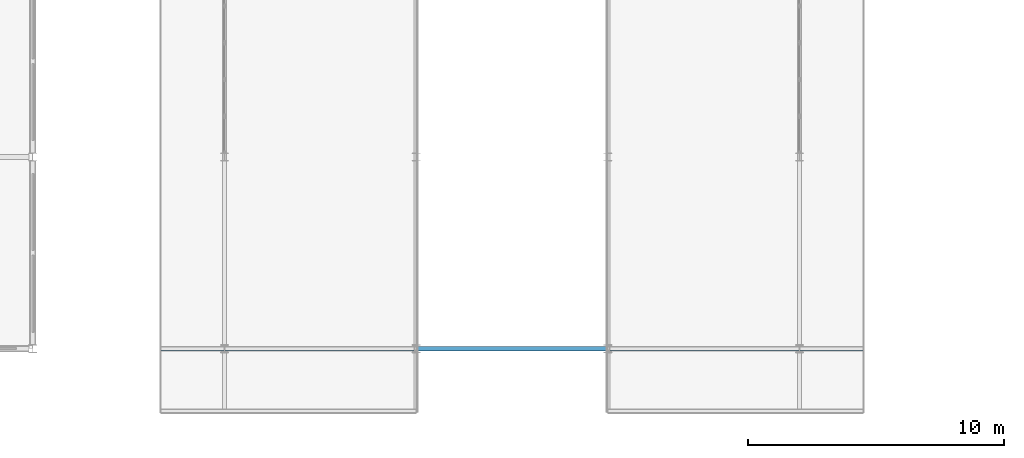
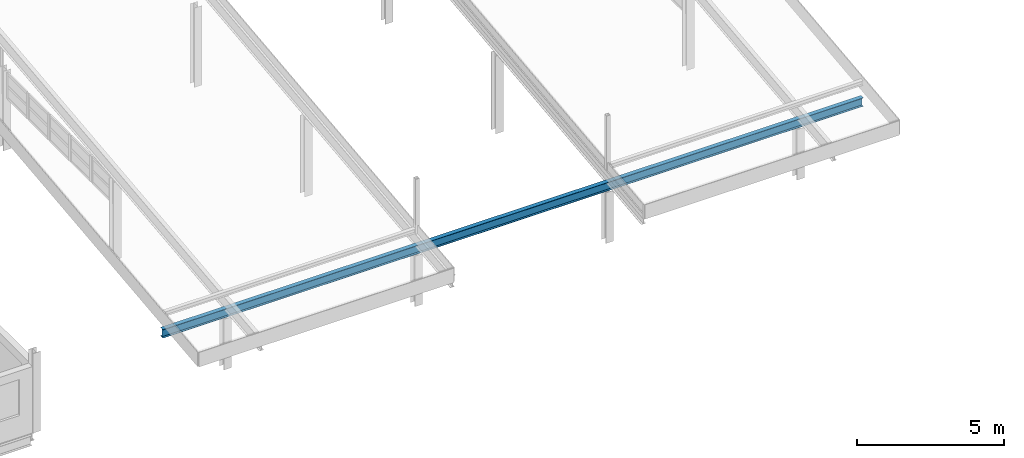
# One storey, part 33 of 199: 1 beam.
"""IFC4 building model written with IfcOpenShell, lengths in metres."""

from ifc_helpers import new_model, si_unit, direction, frame, origin, origin_2d, place, context, subcontext, project, spatial, i_section, extrude, material, material_profile, profile_set, type_object, element, save


model = new_model("IFC4")

# Units and contexts
model_context = context("Model", 3, precision=1e-05, world=origin(), true_north=direction((0.0, 1.0)))
body_context = subcontext(model_context, "Body", "Model", "MODEL_VIEW")
ifc_project = project(units=[si_unit("LENGTHUNIT", "METRE"), si_unit("AREAUNIT", "SQUARE_METRE"), si_unit("VOLUMEUNIT", "CUBIC_METRE"), si_unit("PLANEANGLEUNIT", "RADIAN"), si_unit("MASSUNIT", "GRAM", prefix="KILO")], contexts=[model_context])

# Site, building, storey
site_placement = place(None, origin())
site = spatial("IfcSite", under=ifc_project, at=site_placement, CompositionType="ELEMENT")
building_placement = place(site_placement, origin())
building = spatial("IfcBuilding", under=site, at=building_placement, Name="Parallax Yard Mobility Hub", CompositionType="ELEMENT")
storey_placement = place(building_placement, frame((0.0, 0.0, 9.89990234375)))
storey = spatial("IfcBuildingStorey", under=building, at=storey_placement, Name="L03", CompositionType="ELEMENT", Elevation=9.89990234375)

# Beam
ifc_material = material(Name="Steel ASTM A992", Category="steel")
ifc_material_profile = material_profile(ifc_material, i_section(OverallWidth=0.1708984375, OverallDepth=0.35498046875, WebThickness=0.007080078125, FlangeThickness=0.01171875, at=origin_2d()), Name="W360x51")
ifc_profile_set = profile_set([ifc_material_profile], Name="Steel ASTM A992")
beam_type = type_object("IfcBeamType", Name="Roof girder W360x51", PredefinedType="BEAM", material=ifc_profile_set)
beam_placement = place(storey_placement, frame((147.5, 7.5, 2.277587890625), z_axis=(1.0, 0.0, 0.0), x_axis=(0.0, 1.0, 0.0)))
element("IfcBeam", 1, at=beam_placement, inside=storey, type_object=beam_type, Name="Roof girder at y 7.5", PredefinedType="BEAM", context=body_context, shape_type="SweptSolid", body=[
    extrude(i_section(OverallWidth=0.1708984375, OverallDepth=0.35498046875, WebThickness=0.007080078125, FlangeThickness=0.01171875, at=origin_2d()), origin(), (0.0, 0.0, 1.0), 27.5),
])

save(model, "model.ifc")
